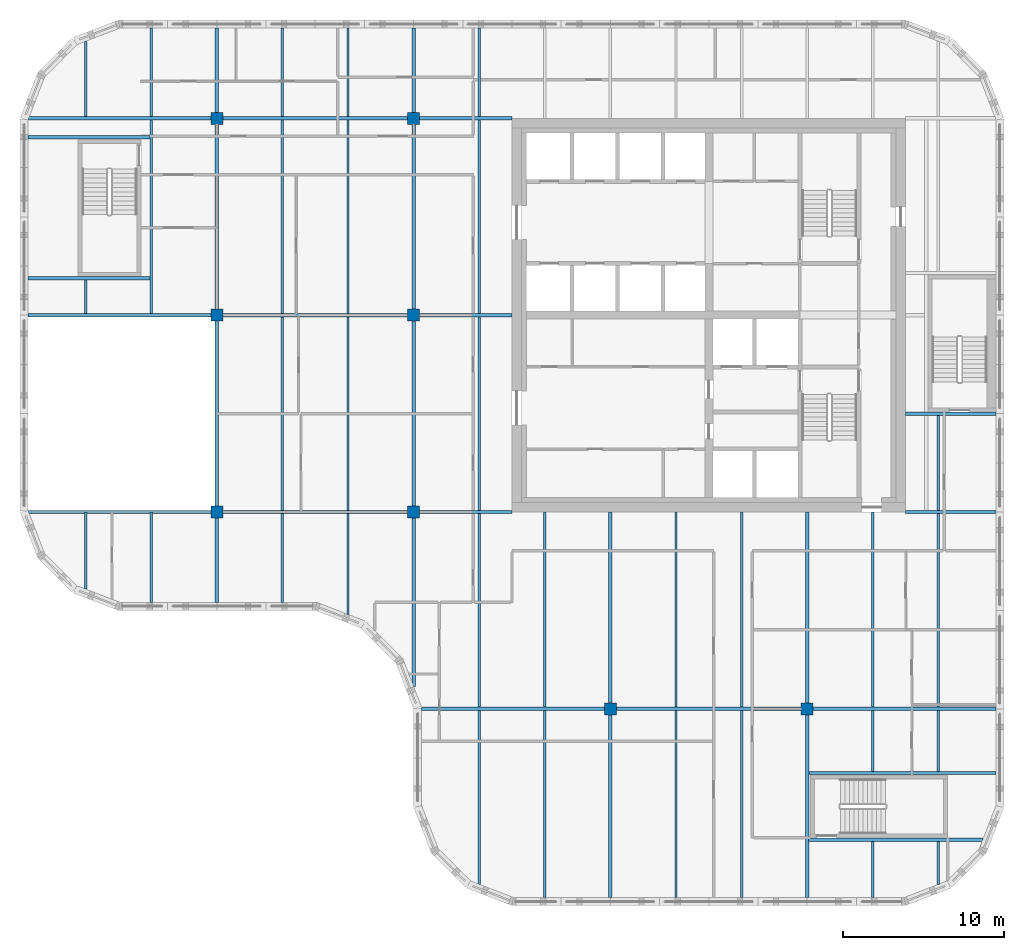
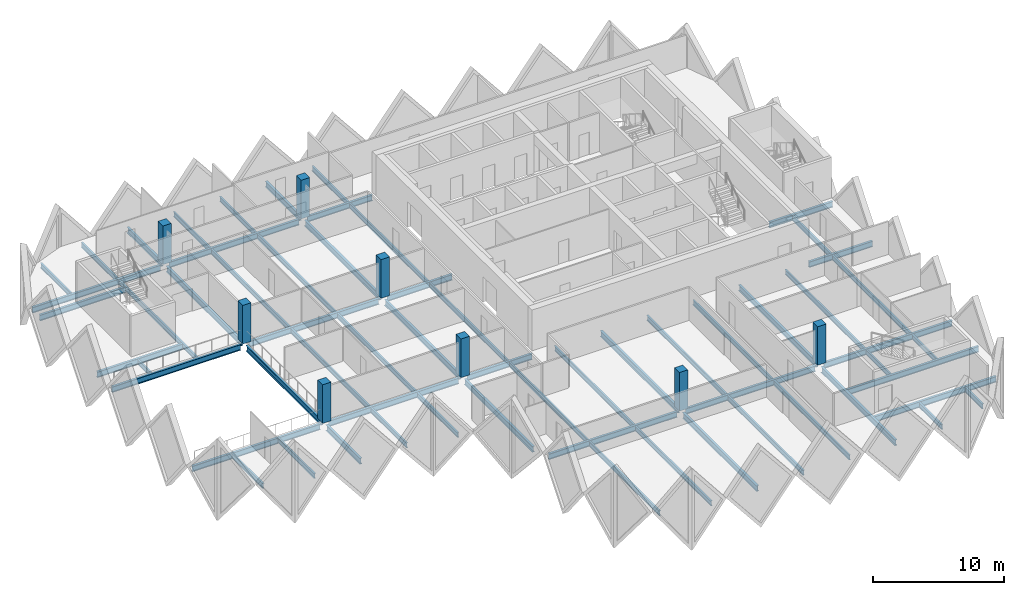
# One storey, part 1 of 12: 62 beams, 8 columns.
"""IFC4 building model written with IfcOpenShell, lengths in metres."""

from ifc_helpers import new_model, si_unit, direction, frame, origin, origin_2d, place, context, subcontext, project, spatial, rectangle, i_section, extrude, material, material_profile, profile_set, type_object, element, save


model = new_model("IFC4")

# Units and contexts
model_context = context("Model", 3, precision=1e-05, world=origin(), true_north=direction((0.0, 1.0)))
body_context = subcontext(model_context, "Body", "Model", "MODEL_VIEW")
ifc_project = project(units=[si_unit("LENGTHUNIT", "METRE"), si_unit("AREAUNIT", "SQUARE_METRE"), si_unit("VOLUMEUNIT", "CUBIC_METRE"), si_unit("PLANEANGLEUNIT", "RADIAN"), si_unit("MASSUNIT", "GRAM", prefix="KILO")], contexts=[model_context])

# Site, building, storey
site_placement = place(None, origin())
site = spatial("IfcSite", under=ifc_project, at=site_placement, CompositionType="ELEMENT")
building_placement = place(site_placement, origin())
building = spatial("IfcBuilding", under=site, at=building_placement, Name="Tessera Gate Towers", CompositionType="ELEMENT")
storey_placement = place(building_placement, frame((0.0, 0.0, 185.800048828125)))
storey = spatial("IfcBuildingStorey", under=building, at=storey_placement, Name="L46", CompositionType="ELEMENT", Elevation=185.800048828125)

# Columns
ifc_material_1 = material(Name="Concrete C70/85", Category="concrete")
ifc_material_profile_1 = material_profile(ifc_material_1, rectangle(XDim=0.75, YDim=0.75, at=origin_2d()), Name="RC 750x750")
ifc_profile_set_1 = profile_set([ifc_material_profile_1], Name="Concrete C70/85")
column_type = type_object("IfcColumnType", Name="COLUMN RC 750x750", PredefinedType="COLUMN", material=ifc_profile_set_1)
for number, where, z_axis, x_axis, name in (
    (1, (12.199951171875, 24.39990234375, 0.0), (0.0, 0.0, 1.0), (1.0, 0.0, 0.0), "T1-COL-2C-L46"),
    (2, (12.199951171875, 36.60009765625, 0.0), (0.0, 0.0, 1.0), (1.0, 0.0, 0.0), "T1-COL-2D-L46"),
    (3, (12.199951171875, 48.800048828125, 0.0), (0.0, 0.0, 1.0), (1.0, 0.0, 0.0), "T1-COL-2E-L46"),
    (4, (24.39990234375, 24.39990234375, 0.0), (0.0, 0.0, 1.0), (1.0, 0.0, 0.0), "T1-COL-3C-L46"),
    (5, (24.39990234375, 36.60009765625, 0.0), (0.0, 0.0, 1.0), (1.0, 0.0, 0.0), "T1-COL-3D-L46"),
    (6, (24.39990234375, 48.800048828125, 0.0), (0.0, 0.0, 1.0), (1.0, 0.0, 0.0), "T1-COL-3E-L46"),
    (7, (36.60009765625, 12.199951171875, 0.0), (0.0, 0.0, 1.0), (1.0, 0.0, 0.0), "T1-COL-4B-L46"),
    (8, (48.800048828125, 12.199951171875, 0.0), (0.0, 0.0, 1.0), (1.0, 0.0, 0.0), "T1-COL-5B-L46"),
):
    element("IfcColumn", number, at=place(storey_placement, frame(where, z_axis=z_axis, x_axis=x_axis)), inside=storey, type_object=column_type, Name=name, PredefinedType="COLUMN", context=body_context, shape_type="SweptSolid", body=[
        extrude(rectangle(XDim=0.75, YDim=0.75, at=origin_2d()), origin(), (0.0, 0.0, 1.0), 3.599853515625),
    ])

# Beams
ifc_material_2 = material(Name="Steel 350W", Category="steel")
ifc_material_profile_2 = material_profile(ifc_material_2, i_section(OverallWidth=0.208984375, OverallDepth=0.532958984375, WebThickness=0.01025390625, FlangeThickness=0.015625, at=origin_2d()), Name="W530x92")
ifc_profile_set_2 = profile_set([ifc_material_profile_2], Name="Steel 350W")
beam_type_1 = type_object("IfcBeamType", Name="FLOOR GIRDER W530x92", PredefinedType="BEAM", material=ifc_profile_set_2)
beam_1_placement = place(storey_placement, frame((24.89892578125, 12.199951171875, -0.466552734375), z_axis=(1.0, 0.0, 0.0), x_axis=(0.0, 1.0, 0.0)))
element("IfcBeam", 9, at=beam_1_placement, inside=storey, type_object=beam_type_1, Name="T1-GD-L46-4960", PredefinedType="BEAM", context=body_context, shape_type="SweptSolid", body=[
    extrude(i_section(OverallWidth=0.208984375, OverallDepth=0.532958984375, WebThickness=0.01025390625, FlangeThickness=0.015625, at=origin_2d()), origin(), (0.0, 0.0, 1.0), 11.326171875),
])
beam_2_placement = place(storey_placement, frame((36.97509765625, 12.199951171875, -0.466552734375), z_axis=(1.0, 0.0, 0.0), x_axis=(0.0, 1.0, 0.0)))
element("IfcBeam", 10, at=beam_2_placement, inside=storey, type_object=beam_type_1, Name="T1-GD-L46-4961", PredefinedType="BEAM", context=body_context, shape_type="SweptSolid", body=[
    extrude(i_section(OverallWidth=0.208984375, OverallDepth=0.532958984375, WebThickness=0.01025390625, FlangeThickness=0.015625, at=origin_2d()), origin(), (0.0, 0.0, 1.0), 11.449951171875),
])
beam_3_placement = place(storey_placement, frame((49.175048828125, 12.199951171875, -0.466552734375), z_axis=(1.0, 0.0, 0.0), x_axis=(0.0, 1.0, 0.0)))
element("IfcBeam", 11, at=beam_3_placement, inside=storey, type_object=beam_type_1, Name="T1-GD-L46-4962", PredefinedType="BEAM", context=body_context, shape_type="SweptSolid", body=[
    extrude(i_section(OverallWidth=0.208984375, OverallDepth=0.532958984375, WebThickness=0.01025390625, FlangeThickness=0.015625, at=origin_2d()), origin(), (0.0, 0.0, 1.0), 11.325927734375),
])
beam_4_placement = place(storey_placement, frame((0.534912109375, 24.39990234375, -0.466552734375), z_axis=(1.0, 0.0, 0.0), x_axis=(0.0, 1.0, 0.0)))
element("IfcBeam", 12, at=beam_4_placement, inside=storey, type_object=beam_type_1, Name="T1-GD-L46-4963", PredefinedType="BEAM", context=body_context, shape_type="SweptSolid", body=[
    extrude(i_section(OverallWidth=0.208984375, OverallDepth=0.532958984375, WebThickness=0.01025390625, FlangeThickness=0.015625, at=origin_2d()), origin(), (0.0, 0.0, 1.0), 11.2900390625),
])
beam_5_placement = place(storey_placement, frame((12.574951171875, 24.39990234375, -0.466552734375), z_axis=(1.0, 0.0, 0.0), x_axis=(0.0, 1.0, 0.0)))
element("IfcBeam", 13, at=beam_5_placement, inside=storey, type_object=beam_type_1, Name="T1-GD-L46-4964", PredefinedType="BEAM", context=body_context, shape_type="SweptSolid", body=[
    extrude(i_section(OverallWidth=0.208984375, OverallDepth=0.532958984375, WebThickness=0.01025390625, FlangeThickness=0.015625, at=origin_2d()), origin(), (0.0, 0.0, 1.0), 11.449951171875),
])
beam_6_placement = place(storey_placement, frame((24.77490234375, 24.39990234375, -0.466552734375), z_axis=(1.0, 0.0, 0.0), x_axis=(0.0, 1.0, 0.0)))
element("IfcBeam", 14, at=beam_6_placement, inside=storey, type_object=beam_type_1, Name="T1-GD-L46-4965", PredefinedType="BEAM", context=body_context, shape_type="SweptSolid", body=[
    extrude(i_section(OverallWidth=0.208984375, OverallDepth=0.532958984375, WebThickness=0.01025390625, FlangeThickness=0.015625, at=origin_2d()), origin(), (0.0, 0.0, 1.0), 5.72412109375),
])
beam_7_placement = place(storey_placement, frame((54.90087890625, 24.39990234375, -0.466552734375), z_axis=(1.0, 0.0, 0.0), x_axis=(0.0, 1.0, 0.0)))
element("IfcBeam", 15, at=beam_7_placement, inside=storey, type_object=beam_type_1, Name="T1-GD-L46-4966", PredefinedType="BEAM", context=body_context, shape_type="SweptSolid", body=[
    extrude(i_section(OverallWidth=0.208984375, OverallDepth=0.532958984375, WebThickness=0.01025390625, FlangeThickness=0.015625, at=origin_2d()), origin(), (0.0, 0.0, 1.0), 5.60009765625),
])
beam_8_placement = place(storey_placement, frame((0.4990234375, 36.60009765625, -0.466552734375), z_axis=(1.0, 0.0, 0.0), x_axis=(0.0, 1.0, 0.0)))
element("IfcBeam", 16, at=beam_8_placement, inside=storey, type_object=beam_type_1, Name="T1-GD-L46-4967", PredefinedType="BEAM", context=body_context, shape_type="SweptSolid", body=[
    extrude(i_section(OverallWidth=0.208984375, OverallDepth=0.532958984375, WebThickness=0.01025390625, FlangeThickness=0.015625, at=origin_2d()), origin(), (0.0, 0.0, 1.0), 11.325927734375),
])
beam_9_placement = place(storey_placement, frame((12.574951171875, 36.60009765625, -0.466552734375), z_axis=(1.0, 0.0, 0.0), x_axis=(0.0, 1.0, 0.0)))
element("IfcBeam", 17, at=beam_9_placement, inside=storey, type_object=beam_type_1, Name="T1-GD-L46-4968", PredefinedType="BEAM", context=body_context, shape_type="SweptSolid", body=[
    extrude(i_section(OverallWidth=0.208984375, OverallDepth=0.532958984375, WebThickness=0.01025390625, FlangeThickness=0.015625, at=origin_2d()), origin(), (0.0, 0.0, 1.0), 11.449951171875),
])
beam_10_placement = place(storey_placement, frame((24.77490234375, 36.60009765625, -0.466552734375), z_axis=(1.0, 0.0, 0.0), x_axis=(0.0, 1.0, 0.0)))
element("IfcBeam", 18, at=beam_10_placement, inside=storey, type_object=beam_type_1, Name="T1-GD-L46-4969", PredefinedType="BEAM", context=body_context, shape_type="SweptSolid", body=[
    extrude(i_section(OverallWidth=0.208984375, OverallDepth=0.532958984375, WebThickness=0.01025390625, FlangeThickness=0.015625, at=origin_2d()), origin(), (0.0, 0.0, 1.0), 5.72607421875),
])
beam_11_placement = place(storey_placement, frame((0.534912109375, 48.800048828125, -0.466552734375), z_axis=(1.0, 0.0, 0.0), x_axis=(0.0, 1.0, 0.0)))
element("IfcBeam", 19, at=beam_11_placement, inside=storey, type_object=beam_type_1, Name="T1-GD-L46-4971", PredefinedType="BEAM", context=body_context, shape_type="SweptSolid", body=[
    extrude(i_section(OverallWidth=0.208984375, OverallDepth=0.532958984375, WebThickness=0.01025390625, FlangeThickness=0.015625, at=origin_2d()), origin(), (0.0, 0.0, 1.0), 11.2900390625),
])
beam_12_placement = place(storey_placement, frame((12.574951171875, 48.800048828125, -0.466552734375), z_axis=(1.0, 0.0, 0.0), x_axis=(0.0, 1.0, 0.0)))
element("IfcBeam", 20, at=beam_12_placement, inside=storey, type_object=beam_type_1, Name="T1-GD-L46-4972", PredefinedType="BEAM", context=body_context, shape_type="SweptSolid", body=[
    extrude(i_section(OverallWidth=0.208984375, OverallDepth=0.532958984375, WebThickness=0.01025390625, FlangeThickness=0.015625, at=origin_2d()), origin(), (0.0, 0.0, 1.0), 11.449951171875),
])
beam_13_placement = place(storey_placement, frame((24.77490234375, 48.800048828125, -0.466552734375), z_axis=(1.0, 0.0, 0.0), x_axis=(0.0, 1.0, 0.0)))
element("IfcBeam", 21, at=beam_13_placement, inside=storey, type_object=beam_type_1, Name="T1-GD-L46-4973", PredefinedType="BEAM", context=body_context, shape_type="SweptSolid", body=[
    extrude(i_section(OverallWidth=0.208984375, OverallDepth=0.532958984375, WebThickness=0.01025390625, FlangeThickness=0.015625, at=origin_2d()), origin(), (0.0, 0.0, 1.0), 5.72412109375),
])
beam_14_placement = place(storey_placement, frame((12.199951171875, 18.799072265625, -0.466552734375), z_axis=(0.0, 1.0, 0.0), x_axis=(-1.0, 0.0, 0.0)))
element("IfcBeam", 22, at=beam_14_placement, inside=storey, type_object=beam_type_1, Name="T1-GD-L46-4975", PredefinedType="BEAM", context=body_context, shape_type="SweptSolid", body=[
    extrude(i_section(OverallWidth=0.208984375, OverallDepth=0.532958984375, WebThickness=0.01025390625, FlangeThickness=0.015625, at=origin_2d()), origin(), (0.0, 0.0, 1.0), 5.225830078125),
])
beam_15_placement = place(storey_placement, frame((12.199951171875, 24.77490234375, -0.466552734375), z_axis=(0.0, 1.0, 0.0), x_axis=(-1.0, 0.0, 0.0)))
element("IfcBeam", 23, at=beam_15_placement, inside=storey, type_object=beam_type_1, Name="T1-GD-L46-4976", PredefinedType="BEAM", context=body_context, shape_type="SweptSolid", body=[
    extrude(i_section(OverallWidth=0.208984375, OverallDepth=0.532958984375, WebThickness=0.01025390625, FlangeThickness=0.015625, at=origin_2d()), origin(), (0.0, 0.0, 1.0), 11.4501953125),
])
beam_16_placement = place(storey_placement, frame((12.199951171875, 36.97509765625, -0.466552734375), z_axis=(0.0, 1.0, 0.0), x_axis=(-1.0, 0.0, 0.0)))
element("IfcBeam", 24, at=beam_16_placement, inside=storey, type_object=beam_type_1, Name="T1-GD-L46-4977", PredefinedType="BEAM", context=body_context, shape_type="SweptSolid", body=[
    extrude(i_section(OverallWidth=0.208984375, OverallDepth=0.532958984375, WebThickness=0.01025390625, FlangeThickness=0.015625, at=origin_2d()), origin(), (0.0, 0.0, 1.0), 11.449951171875),
])
beam_17_placement = place(storey_placement, frame((12.199951171875, 49.175048828125, -0.466552734375), z_axis=(0.0, 1.0, 0.0), x_axis=(-1.0, 0.0, 0.0)))
element("IfcBeam", 25, at=beam_17_placement, inside=storey, type_object=beam_type_1, Name="T1-GD-L46-4978", PredefinedType="BEAM", context=body_context, shape_type="SweptSolid", body=[
    extrude(i_section(OverallWidth=0.208984375, OverallDepth=0.532958984375, WebThickness=0.01025390625, FlangeThickness=0.015625, at=origin_2d()), origin(), (0.0, 0.0, 1.0), 5.225830078125),
])
beam_18_placement = place(storey_placement, frame((24.39990234375, 13.58642578125, -0.466552734375), z_axis=(0.0, 1.0, 0.0), x_axis=(-1.0, 0.0, 0.0)))
element("IfcBeam", 26, at=beam_18_placement, inside=storey, type_object=beam_type_1, Name="T1-GD-L46-4979", PredefinedType="BEAM", context=body_context, shape_type="SweptSolid", body=[
    extrude(i_section(OverallWidth=0.208984375, OverallDepth=0.532958984375, WebThickness=0.01025390625, FlangeThickness=0.015625, at=origin_2d()), origin(), (0.0, 0.0, 1.0), 10.4384765625),
])
beam_19_placement = place(storey_placement, frame((24.39990234375, 24.77490234375, -0.466552734375), z_axis=(0.0, 1.0, 0.0), x_axis=(-1.0, 0.0, 0.0)))
element("IfcBeam", 27, at=beam_19_placement, inside=storey, type_object=beam_type_1, Name="T1-GD-L46-4980", PredefinedType="BEAM", context=body_context, shape_type="SweptSolid", body=[
    extrude(i_section(OverallWidth=0.208984375, OverallDepth=0.532958984375, WebThickness=0.01025390625, FlangeThickness=0.015625, at=origin_2d()), origin(), (0.0, 0.0, 1.0), 11.4501953125),
])
beam_20_placement = place(storey_placement, frame((24.39990234375, 36.97509765625, -0.466552734375), z_axis=(0.0, 1.0, 0.0), x_axis=(-1.0, 0.0, 0.0)))
element("IfcBeam", 28, at=beam_20_placement, inside=storey, type_object=beam_type_1, Name="T1-GD-L46-4981", PredefinedType="BEAM", context=body_context, shape_type="SweptSolid", body=[
    extrude(i_section(OverallWidth=0.208984375, OverallDepth=0.532958984375, WebThickness=0.01025390625, FlangeThickness=0.015625, at=origin_2d()), origin(), (0.0, 0.0, 1.0), 11.449951171875),
])
beam_21_placement = place(storey_placement, frame((24.39990234375, 49.175048828125, -0.466552734375), z_axis=(0.0, 1.0, 0.0), x_axis=(-1.0, 0.0, 0.0)))
element("IfcBeam", 29, at=beam_21_placement, inside=storey, type_object=beam_type_1, Name="T1-GD-L46-4982", PredefinedType="BEAM", context=body_context, shape_type="SweptSolid", body=[
    extrude(i_section(OverallWidth=0.208984375, OverallDepth=0.532958984375, WebThickness=0.01025390625, FlangeThickness=0.015625, at=origin_2d()), origin(), (0.0, 0.0, 1.0), 5.225830078125),
])
beam_22_placement = place(storey_placement, frame((36.60009765625, 0.4990234375, -0.466552734375), z_axis=(0.0, 1.0, 0.0), x_axis=(-1.0, 0.0, 0.0)))
element("IfcBeam", 30, at=beam_22_placement, inside=storey, type_object=beam_type_1, Name="T1-GD-L46-4983", PredefinedType="BEAM", context=body_context, shape_type="SweptSolid", body=[
    extrude(i_section(OverallWidth=0.208984375, OverallDepth=0.532958984375, WebThickness=0.01025390625, FlangeThickness=0.015625, at=origin_2d()), origin(), (0.0, 0.0, 1.0), 11.325927734375),
])
beam_23_placement = place(storey_placement, frame((36.60009765625, 12.574951171875, -0.466552734375), z_axis=(0.0, 1.0, 0.0), x_axis=(-1.0, 0.0, 0.0)))
element("IfcBeam", 31, at=beam_23_placement, inside=storey, type_object=beam_type_1, Name="T1-GD-L46-4984", PredefinedType="BEAM", context=body_context, shape_type="SweptSolid", body=[
    extrude(i_section(OverallWidth=0.208984375, OverallDepth=0.532958984375, WebThickness=0.01025390625, FlangeThickness=0.015625, at=origin_2d()), origin(), (0.0, 0.0, 1.0), 11.824951171875),
])
beam_24_placement = place(storey_placement, frame((48.800048828125, 0.4990234375, -0.466552734375), z_axis=(0.0, 1.0, 0.0), x_axis=(-1.0, 0.0, 0.0)))
element("IfcBeam", 32, at=beam_24_placement, inside=storey, type_object=beam_type_1, Name="T1-GD-L46-4985", PredefinedType="BEAM", context=body_context, shape_type="SweptSolid", body=[
    extrude(i_section(OverallWidth=0.208984375, OverallDepth=0.532958984375, WebThickness=0.01025390625, FlangeThickness=0.015625, at=origin_2d()), origin(), (0.0, 0.0, 1.0), 11.325927734375),
])
beam_25_placement = place(storey_placement, frame((48.800048828125, 12.574951171875, -0.466552734375), z_axis=(0.0, 1.0, 0.0), x_axis=(-1.0, 0.0, 0.0)))
element("IfcBeam", 33, at=beam_25_placement, inside=storey, type_object=beam_type_1, Name="T1-GD-L46-4986", PredefinedType="BEAM", context=body_context, shape_type="SweptSolid", body=[
    extrude(i_section(OverallWidth=0.208984375, OverallDepth=0.532958984375, WebThickness=0.01025390625, FlangeThickness=0.015625, at=origin_2d()), origin(), (0.0, 0.0, 1.0), 11.824951171875),
])
for number, where, z_axis, x_axis, name in (
    (34, (0.4990234375, 38.8798828125, -0.466552734375), (1.0, 0.0, 0.0), (0.0, 1.0, 0.0), "T1-GD-L46-4987"),
    (35, (0.4990234375, 47.6201171875, -0.466552734375), (1.0, 0.0, 0.0), (0.0, 1.0, 0.0), "T1-GD-L46-4988"),
):
    element("IfcBeam", number, at=place(storey_placement, frame(where, z_axis=z_axis, x_axis=x_axis)), inside=storey, type_object=beam_type_1, Name=name, PredefinedType="BEAM", context=body_context, shape_type="SweptSolid", body=[
        extrude(i_section(OverallWidth=0.208984375, OverallDepth=0.532958984375, WebThickness=0.01025390625, FlangeThickness=0.015625, at=origin_2d()), origin(), (0.0, 0.0, 1.0), 7.557861328125),
    ])
beam_26_placement = place(storey_placement, frame((48.87646484375, 4.080078125, -0.466552734375), z_axis=(1.0, 0.0, 0.0), x_axis=(0.0, 1.0, 0.0)))
element("IfcBeam", 36, at=beam_26_placement, inside=storey, type_object=beam_type_1, Name="T1-GD-L46-4989", PredefinedType="BEAM", context=body_context, shape_type="SweptSolid", body=[
    extrude(i_section(OverallWidth=0.208984375, OverallDepth=0.532958984375, WebThickness=0.01025390625, FlangeThickness=0.015625, at=origin_2d()), origin(), (0.0, 0.0, 1.0), 10.809326171875),
])
beam_27_placement = place(storey_placement, frame((48.87646484375, 8.219970703125, -0.466552734375), z_axis=(1.0, 0.0, 0.0), x_axis=(0.0, 1.0, 0.0)))
element("IfcBeam", 37, at=beam_27_placement, inside=storey, type_object=beam_type_1, Name="T1-GD-L46-4990", PredefinedType="BEAM", context=body_context, shape_type="SweptSolid", body=[
    extrude(i_section(OverallWidth=0.208984375, OverallDepth=0.532958984375, WebThickness=0.01025390625, FlangeThickness=0.015625, at=origin_2d()), origin(), (0.0, 0.0, 1.0), 11.62451171875),
])
beam_28_placement = place(storey_placement, frame((54.89892578125, 30.47998046875, -0.466552734375), z_axis=(1.0, 0.0, 0.0), x_axis=(0.0, 1.0, 0.0)))
element("IfcBeam", 38, at=beam_28_placement, inside=storey, type_object=beam_type_1, Name="T1-GD-L46-4991", PredefinedType="BEAM", context=body_context, shape_type="SweptSolid", body=[
    extrude(i_section(OverallWidth=0.208984375, OverallDepth=0.532958984375, WebThickness=0.01025390625, FlangeThickness=0.015625, at=origin_2d()), origin(), (0.0, 0.0, 1.0), 5.60205078125),
])
ifc_material_3 = material(Name="Steel 350W", Category="steel")
ifc_material_profile_3 = material_profile(ifc_material_3, i_section(OverallWidth=0.153076171875, OverallDepth=0.455078125, WebThickness=0.008056640625, FlangeThickness=0.01318359375, at=origin_2d()), Name="W460x60")
ifc_profile_set_3 = profile_set([ifc_material_profile_3], Name="Steel 350W")
beam_type_2 = type_object("IfcBeamType", Name="FLOOR SECONDARY W460x60", PredefinedType="BEAM", material=ifc_profile_set_3)
beam_29_placement = place(storey_placement, frame((4.066650390625, 19.620361328125, -0.427490234375), z_axis=(0.0, 1.0, 0.0), x_axis=(-1.0, 0.0, 0.0)))
element("IfcBeam", 39, at=beam_29_placement, inside=storey, type_object=beam_type_2, Name="T1-BM-L46-4994", PredefinedType="BEAM", context=body_context, shape_type="SweptSolid", body=[
    extrude(i_section(OverallWidth=0.153076171875, OverallDepth=0.455078125, WebThickness=0.008056640625, FlangeThickness=0.01318359375, at=origin_2d()), origin(), (0.0, 0.0, 1.0), 4.779541015625),
])
beam_30_placement = place(storey_placement, frame((4.066650390625, 36.70458984375, -0.427490234375), z_axis=(0.0, 1.0, 0.0), x_axis=(-1.0, 0.0, 0.0)))
element("IfcBeam", 40, at=beam_30_placement, inside=storey, type_object=beam_type_2, Name="T1-BM-L46-4995", PredefinedType="BEAM", context=body_context, shape_type="SweptSolid", body=[
    extrude(i_section(OverallWidth=0.153076171875, OverallDepth=0.455078125, WebThickness=0.008056640625, FlangeThickness=0.01318359375, at=origin_2d()), origin(), (0.0, 0.0, 1.0), 2.07080078125),
])
beam_31_placement = place(storey_placement, frame((4.066650390625, 48.904541015625, -0.427490234375), z_axis=(0.0, 1.0, 0.0), x_axis=(-1.0, 0.0, 0.0)))
element("IfcBeam", 41, at=beam_31_placement, inside=storey, type_object=beam_type_2, Name="T1-BM-L46-4996", PredefinedType="BEAM", context=body_context, shape_type="SweptSolid", body=[
    extrude(i_section(OverallWidth=0.153076171875, OverallDepth=0.455078125, WebThickness=0.008056640625, FlangeThickness=0.01318359375, at=origin_2d()), origin(), (0.0, 0.0, 1.0), 4.675048828125),
])
beam_32_placement = place(storey_placement, frame((8.13330078125, 18.800048828125, -0.427490234375), z_axis=(0.0, 1.0, 0.0), x_axis=(-1.0, 0.0, 0.0)))
element("IfcBeam", 42, at=beam_32_placement, inside=storey, type_object=beam_type_2, Name="T1-BM-L46-4997", PredefinedType="BEAM", context=body_context, shape_type="SweptSolid", body=[
    extrude(i_section(OverallWidth=0.153076171875, OverallDepth=0.455078125, WebThickness=0.008056640625, FlangeThickness=0.01318359375, at=origin_2d()), origin(), (0.0, 0.0, 1.0), 5.599853515625),
])
beam_33_placement = place(storey_placement, frame((8.13330078125, 36.70458984375, -0.427490234375), z_axis=(0.0, 1.0, 0.0), x_axis=(-1.0, 0.0, 0.0)))
element("IfcBeam", 43, at=beam_33_placement, inside=storey, type_object=beam_type_2, Name="T1-BM-L46-4998", PredefinedType="BEAM", context=body_context, shape_type="SweptSolid", body=[
    extrude(i_section(OverallWidth=0.153076171875, OverallDepth=0.455078125, WebThickness=0.008056640625, FlangeThickness=0.01318359375, at=origin_2d()), origin(), (0.0, 0.0, 1.0), 11.990966796875),
])
for number, where, z_axis, x_axis, name in (
    (44, (8.13330078125, 48.904541015625, -0.427490234375), (0.0, 1.0, 0.0), (-1.0, 0.0, 0.0), "T1-BM-L46-4999"),
    (45, (16.2666015625, 18.800048828125, -0.427490234375), (0.0, 1.0, 0.0), (-1.0, 0.0, 0.0), "T1-BM-L46-5000"),
):
    element("IfcBeam", number, at=place(storey_placement, frame(where, z_axis=z_axis, x_axis=x_axis)), inside=storey, type_object=beam_type_2, Name=name, PredefinedType="BEAM", context=body_context, shape_type="SweptSolid", body=[
        extrude(i_section(OverallWidth=0.153076171875, OverallDepth=0.455078125, WebThickness=0.008056640625, FlangeThickness=0.01318359375, at=origin_2d()), origin(), (0.0, 0.0, 1.0), 5.495361328125),
    ])
beam_34_placement = place(storey_placement, frame((16.2666015625, 24.50439453125, -0.427490234375), z_axis=(0.0, 1.0, 0.0), x_axis=(-1.0, 0.0, 0.0)))
element("IfcBeam", 46, at=beam_34_placement, inside=storey, type_object=beam_type_2, Name="T1-BM-L46-5001", PredefinedType="BEAM", context=body_context, shape_type="SweptSolid", body=[
    extrude(i_section(OverallWidth=0.153076171875, OverallDepth=0.455078125, WebThickness=0.008056640625, FlangeThickness=0.01318359375, at=origin_2d()), origin(), (0.0, 0.0, 1.0), 11.9912109375),
])
beam_35_placement = place(storey_placement, frame((16.2666015625, 36.70458984375, -0.427490234375), z_axis=(0.0, 1.0, 0.0), x_axis=(-1.0, 0.0, 0.0)))
element("IfcBeam", 47, at=beam_35_placement, inside=storey, type_object=beam_type_2, Name="T1-BM-L46-5002", PredefinedType="BEAM", context=body_context, shape_type="SweptSolid", body=[
    extrude(i_section(OverallWidth=0.153076171875, OverallDepth=0.455078125, WebThickness=0.008056640625, FlangeThickness=0.01318359375, at=origin_2d()), origin(), (0.0, 0.0, 1.0), 11.990966796875),
])
beam_36_placement = place(storey_placement, frame((16.2666015625, 48.904541015625, -0.427490234375), z_axis=(0.0, 1.0, 0.0), x_axis=(-1.0, 0.0, 0.0)))
element("IfcBeam", 48, at=beam_36_placement, inside=storey, type_object=beam_type_2, Name="T1-BM-L46-5003", PredefinedType="BEAM", context=body_context, shape_type="SweptSolid", body=[
    extrude(i_section(OverallWidth=0.153076171875, OverallDepth=0.455078125, WebThickness=0.008056640625, FlangeThickness=0.01318359375, at=origin_2d()), origin(), (0.0, 0.0, 1.0), 5.495361328125),
])
beam_37_placement = place(storey_placement, frame((20.333251953125, 18.051513671875, -0.427490234375), z_axis=(0.0, 1.0, 0.0), x_axis=(-1.0, 0.0, 0.0)))
element("IfcBeam", 49, at=beam_37_placement, inside=storey, type_object=beam_type_2, Name="T1-BM-L46-5004", PredefinedType="BEAM", context=body_context, shape_type="SweptSolid", body=[
    extrude(i_section(OverallWidth=0.153076171875, OverallDepth=0.455078125, WebThickness=0.008056640625, FlangeThickness=0.01318359375, at=origin_2d()), origin(), (0.0, 0.0, 1.0), 6.243896484375),
])
beam_38_placement = place(storey_placement, frame((20.333251953125, 24.50439453125, -0.427490234375), z_axis=(0.0, 1.0, 0.0), x_axis=(-1.0, 0.0, 0.0)))
element("IfcBeam", 50, at=beam_38_placement, inside=storey, type_object=beam_type_2, Name="T1-BM-L46-5005", PredefinedType="BEAM", context=body_context, shape_type="SweptSolid", body=[
    extrude(i_section(OverallWidth=0.153076171875, OverallDepth=0.455078125, WebThickness=0.008056640625, FlangeThickness=0.01318359375, at=origin_2d()), origin(), (0.0, 0.0, 1.0), 11.9912109375),
])
beam_39_placement = place(storey_placement, frame((20.333251953125, 36.70458984375, -0.427490234375), z_axis=(0.0, 1.0, 0.0), x_axis=(-1.0, 0.0, 0.0)))
element("IfcBeam", 51, at=beam_39_placement, inside=storey, type_object=beam_type_2, Name="T1-BM-L46-5006", PredefinedType="BEAM", context=body_context, shape_type="SweptSolid", body=[
    extrude(i_section(OverallWidth=0.153076171875, OverallDepth=0.455078125, WebThickness=0.008056640625, FlangeThickness=0.01318359375, at=origin_2d()), origin(), (0.0, 0.0, 1.0), 11.990966796875),
])
beam_40_placement = place(storey_placement, frame((20.333251953125, 48.904541015625, -0.427490234375), z_axis=(0.0, 1.0, 0.0), x_axis=(-1.0, 0.0, 0.0)))
element("IfcBeam", 52, at=beam_40_placement, inside=storey, type_object=beam_type_2, Name="T1-BM-L46-5007", PredefinedType="BEAM", context=body_context, shape_type="SweptSolid", body=[
    extrude(i_section(OverallWidth=0.153076171875, OverallDepth=0.455078125, WebThickness=0.008056640625, FlangeThickness=0.01318359375, at=origin_2d()), origin(), (0.0, 0.0, 1.0), 5.495361328125),
])
beam_41_placement = place(storey_placement, frame((28.466796875, 1.3203125, -0.427490234375), z_axis=(0.0, 1.0, 0.0), x_axis=(-1.0, 0.0, 0.0)))
element("IfcBeam", 53, at=beam_41_placement, inside=storey, type_object=beam_type_2, Name="T1-BM-L46-5008", PredefinedType="BEAM", context=body_context, shape_type="SweptSolid", body=[
    extrude(i_section(OverallWidth=0.153076171875, OverallDepth=0.455078125, WebThickness=0.008056640625, FlangeThickness=0.01318359375, at=origin_2d()), origin(), (0.0, 0.0, 1.0), 10.775146484375),
])
beam_42_placement = place(storey_placement, frame((28.466796875, 12.304443359375, -0.427490234375), z_axis=(0.0, 1.0, 0.0), x_axis=(-1.0, 0.0, 0.0)))
element("IfcBeam", 54, at=beam_42_placement, inside=storey, type_object=beam_type_2, Name="T1-BM-L46-5009", PredefinedType="BEAM", context=body_context, shape_type="SweptSolid", body=[
    extrude(i_section(OverallWidth=0.153076171875, OverallDepth=0.455078125, WebThickness=0.008056640625, FlangeThickness=0.01318359375, at=origin_2d()), origin(), (0.0, 0.0, 1.0), 11.990966796875),
])
beam_43_placement = place(storey_placement, frame((28.466796875, 24.50439453125, -0.427490234375), z_axis=(0.0, 1.0, 0.0), x_axis=(-1.0, 0.0, 0.0)))
element("IfcBeam", 55, at=beam_43_placement, inside=storey, type_object=beam_type_2, Name="T1-BM-L46-5010", PredefinedType="BEAM", context=body_context, shape_type="SweptSolid", body=[
    extrude(i_section(OverallWidth=0.153076171875, OverallDepth=0.455078125, WebThickness=0.008056640625, FlangeThickness=0.01318359375, at=origin_2d()), origin(), (0.0, 0.0, 1.0), 11.9912109375),
])
beam_44_placement = place(storey_placement, frame((28.466796875, 36.70458984375, -0.427490234375), z_axis=(0.0, 1.0, 0.0), x_axis=(-1.0, 0.0, 0.0)))
element("IfcBeam", 56, at=beam_44_placement, inside=storey, type_object=beam_type_2, Name="T1-BM-L46-5011", PredefinedType="BEAM", context=body_context, shape_type="SweptSolid", body=[
    extrude(i_section(OverallWidth=0.153076171875, OverallDepth=0.455078125, WebThickness=0.008056640625, FlangeThickness=0.01318359375, at=origin_2d()), origin(), (0.0, 0.0, 1.0), 11.990966796875),
])
beam_45_placement = place(storey_placement, frame((28.466796875, 48.904541015625, -0.427490234375), z_axis=(0.0, 1.0, 0.0), x_axis=(-1.0, 0.0, 0.0)))
element("IfcBeam", 57, at=beam_45_placement, inside=storey, type_object=beam_type_2, Name="T1-BM-L46-5012", PredefinedType="BEAM", context=body_context, shape_type="SweptSolid", body=[
    extrude(i_section(OverallWidth=0.153076171875, OverallDepth=0.455078125, WebThickness=0.008056640625, FlangeThickness=0.01318359375, at=origin_2d()), origin(), (0.0, 0.0, 1.0), 5.495361328125),
])
beam_46_placement = place(storey_placement, frame((32.533203125, 0.5, -0.427490234375), z_axis=(0.0, 1.0, 0.0), x_axis=(-1.0, 0.0, 0.0)))
element("IfcBeam", 58, at=beam_46_placement, inside=storey, type_object=beam_type_2, Name="T1-BM-L46-5013", PredefinedType="BEAM", context=body_context, shape_type="SweptSolid", body=[
    extrude(i_section(OverallWidth=0.153076171875, OverallDepth=0.455078125, WebThickness=0.008056640625, FlangeThickness=0.01318359375, at=origin_2d()), origin(), (0.0, 0.0, 1.0), 11.595458984375),
])
beam_47_placement = place(storey_placement, frame((32.533203125, 12.304443359375, -0.427490234375), z_axis=(0.0, 1.0, 0.0), x_axis=(-1.0, 0.0, 0.0)))
element("IfcBeam", 59, at=beam_47_placement, inside=storey, type_object=beam_type_2, Name="T1-BM-L46-5014", PredefinedType="BEAM", context=body_context, shape_type="SweptSolid", body=[
    extrude(i_section(OverallWidth=0.153076171875, OverallDepth=0.455078125, WebThickness=0.008056640625, FlangeThickness=0.01318359375, at=origin_2d()), origin(), (0.0, 0.0, 1.0), 12.095458984375),
])
beam_48_placement = place(storey_placement, frame((40.666748046875, 0.5, -0.427490234375), z_axis=(0.0, 1.0, 0.0), x_axis=(-1.0, 0.0, 0.0)))
element("IfcBeam", 60, at=beam_48_placement, inside=storey, type_object=beam_type_2, Name="T1-BM-L46-5017", PredefinedType="BEAM", context=body_context, shape_type="SweptSolid", body=[
    extrude(i_section(OverallWidth=0.153076171875, OverallDepth=0.455078125, WebThickness=0.008056640625, FlangeThickness=0.01318359375, at=origin_2d()), origin(), (0.0, 0.0, 1.0), 11.595458984375),
])
beam_49_placement = place(storey_placement, frame((40.666748046875, 12.304443359375, -0.427490234375), z_axis=(0.0, 1.0, 0.0), x_axis=(-1.0, 0.0, 0.0)))
element("IfcBeam", 61, at=beam_49_placement, inside=storey, type_object=beam_type_2, Name="T1-BM-L46-5018", PredefinedType="BEAM", context=body_context, shape_type="SweptSolid", body=[
    extrude(i_section(OverallWidth=0.153076171875, OverallDepth=0.455078125, WebThickness=0.008056640625, FlangeThickness=0.01318359375, at=origin_2d()), origin(), (0.0, 0.0, 1.0), 12.095458984375),
])
beam_50_placement = place(storey_placement, frame((44.7333984375, 0.5, -0.427490234375), z_axis=(0.0, 1.0, 0.0), x_axis=(-1.0, 0.0, 0.0)))
element("IfcBeam", 62, at=beam_50_placement, inside=storey, type_object=beam_type_2, Name="T1-BM-L46-5020", PredefinedType="BEAM", context=body_context, shape_type="SweptSolid", body=[
    extrude(i_section(OverallWidth=0.153076171875, OverallDepth=0.455078125, WebThickness=0.008056640625, FlangeThickness=0.01318359375, at=origin_2d()), origin(), (0.0, 0.0, 1.0), 11.595458984375),
])
beam_51_placement = place(storey_placement, frame((44.7333984375, 12.304443359375, -0.427490234375), z_axis=(0.0, 1.0, 0.0), x_axis=(-1.0, 0.0, 0.0)))
element("IfcBeam", 63, at=beam_51_placement, inside=storey, type_object=beam_type_2, Name="T1-BM-L46-5021", PredefinedType="BEAM", context=body_context, shape_type="SweptSolid", body=[
    extrude(i_section(OverallWidth=0.153076171875, OverallDepth=0.455078125, WebThickness=0.008056640625, FlangeThickness=0.01318359375, at=origin_2d()), origin(), (0.0, 0.0, 1.0), 12.095458984375),
])
beam_52_placement = place(storey_placement, frame((52.86669921875, 0.5, -0.427490234375), z_axis=(0.0, 1.0, 0.0), x_axis=(-1.0, 0.0, 0.0)))
element("IfcBeam", 64, at=beam_52_placement, inside=storey, type_object=beam_type_2, Name="T1-BM-L46-5024", PredefinedType="BEAM", context=body_context, shape_type="SweptSolid", body=[
    extrude(i_section(OverallWidth=0.153076171875, OverallDepth=0.455078125, WebThickness=0.008056640625, FlangeThickness=0.01318359375, at=origin_2d()), origin(), (0.0, 0.0, 1.0), 3.4755859375),
])
beam_53_placement = place(storey_placement, frame((52.86669921875, 8.324462890625, -0.427490234375), z_axis=(0.0, 1.0, 0.0), x_axis=(-1.0, 0.0, 0.0)))
element("IfcBeam", 65, at=beam_53_placement, inside=storey, type_object=beam_type_2, Name="T1-BM-L46-5025", PredefinedType="BEAM", context=body_context, shape_type="SweptSolid", body=[
    extrude(i_section(OverallWidth=0.153076171875, OverallDepth=0.455078125, WebThickness=0.008056640625, FlangeThickness=0.01318359375, at=origin_2d()), origin(), (0.0, 0.0, 1.0), 3.77099609375),
])
beam_54_placement = place(storey_placement, frame((52.86669921875, 12.304443359375, -0.427490234375), z_axis=(0.0, 1.0, 0.0), x_axis=(-1.0, 0.0, 0.0)))
element("IfcBeam", 66, at=beam_54_placement, inside=storey, type_object=beam_type_2, Name="T1-BM-L46-5026", PredefinedType="BEAM", context=body_context, shape_type="SweptSolid", body=[
    extrude(i_section(OverallWidth=0.153076171875, OverallDepth=0.455078125, WebThickness=0.008056640625, FlangeThickness=0.01318359375, at=origin_2d()), origin(), (0.0, 0.0, 1.0), 12.095458984375),
])
beam_55_placement = place(storey_placement, frame((56.933349609375, 1.3203125, -0.427490234375), z_axis=(0.0, 1.0, 0.0), x_axis=(-1.0, 0.0, 0.0)))
element("IfcBeam", 67, at=beam_55_placement, inside=storey, type_object=beam_type_2, Name="T1-BM-L46-5028", PredefinedType="BEAM", context=body_context, shape_type="SweptSolid", body=[
    extrude(i_section(OverallWidth=0.153076171875, OverallDepth=0.455078125, WebThickness=0.008056640625, FlangeThickness=0.01318359375, at=origin_2d()), origin(), (0.0, 0.0, 1.0), 2.6552734375),
])
beam_56_placement = place(storey_placement, frame((56.933349609375, 8.324462890625, -0.427490234375), z_axis=(0.0, 1.0, 0.0), x_axis=(-1.0, 0.0, 0.0)))
element("IfcBeam", 68, at=beam_56_placement, inside=storey, type_object=beam_type_2, Name="T1-BM-L46-5029", PredefinedType="BEAM", context=body_context, shape_type="SweptSolid", body=[
    extrude(i_section(OverallWidth=0.153076171875, OverallDepth=0.455078125, WebThickness=0.008056640625, FlangeThickness=0.01318359375, at=origin_2d()), origin(), (0.0, 0.0, 1.0), 3.77099609375),
])
beam_57_placement = place(storey_placement, frame((56.933349609375, 12.304443359375, -0.427490234375), z_axis=(0.0, 1.0, 0.0), x_axis=(-1.0, 0.0, 0.0)))
element("IfcBeam", 69, at=beam_57_placement, inside=storey, type_object=beam_type_2, Name="T1-BM-L46-5030", PredefinedType="BEAM", context=body_context, shape_type="SweptSolid", body=[
    extrude(i_section(OverallWidth=0.153076171875, OverallDepth=0.455078125, WebThickness=0.008056640625, FlangeThickness=0.01318359375, at=origin_2d()), origin(), (0.0, 0.0, 1.0), 11.990966796875),
])
beam_58_placement = place(storey_placement, frame((56.933349609375, 24.50439453125, -0.427490234375), z_axis=(0.0, 1.0, 0.0), x_axis=(-1.0, 0.0, 0.0)))
element("IfcBeam", 70, at=beam_58_placement, inside=storey, type_object=beam_type_2, Name="T1-BM-L46-5031", PredefinedType="BEAM", context=body_context, shape_type="SweptSolid", body=[
    extrude(i_section(OverallWidth=0.153076171875, OverallDepth=0.455078125, WebThickness=0.008056640625, FlangeThickness=0.01318359375, at=origin_2d()), origin(), (0.0, 0.0, 1.0), 5.87109375),
])

save(model, "model.ifc")
